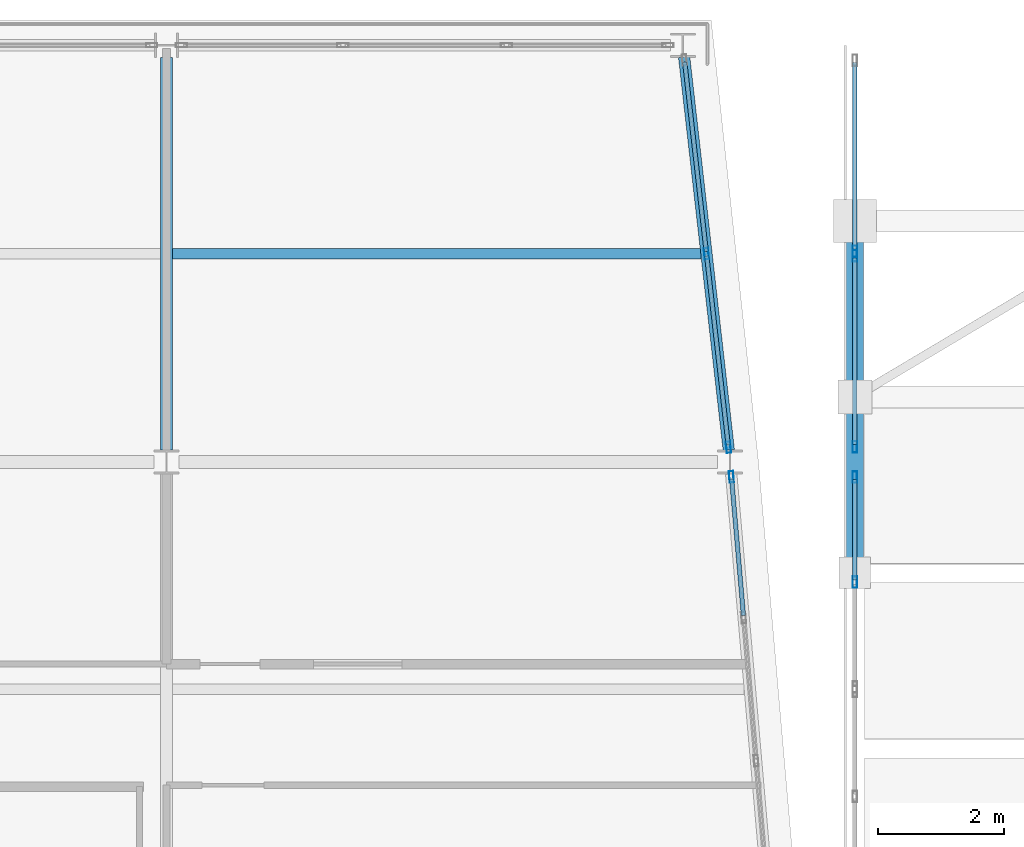
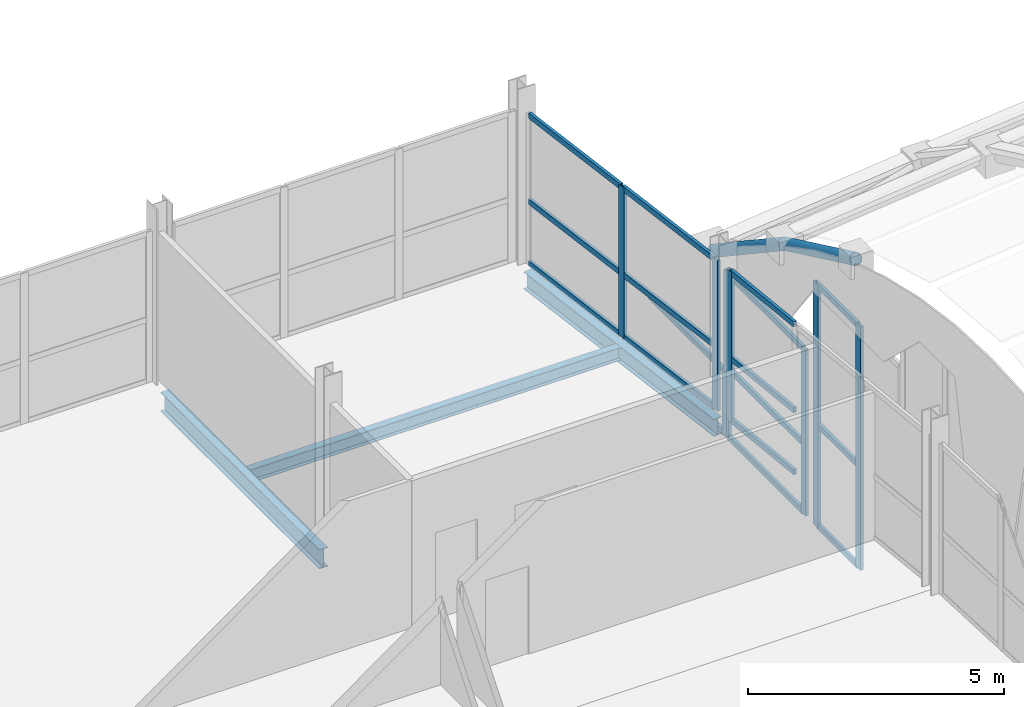
# One storey, part 23 of 65: 25 members, 5 beams, 5 elements without a shape of their own.
"""IFC4 building model written with IfcOpenShell, lengths in metres."""

from ifc_helpers import new_model, si_unit, direction, frame, origin, origin_2d, place, context, subcontext, project, spatial, hollow_rectangle, hollow_circle, i_section, extrude, material, layer, layer_set, material_profile, profile_set, type_object, element, aggregate, save


model = new_model("IFC4")

# Units and contexts
model_context = context("Model", 3, precision=1e-05, world=origin(), true_north=direction((0.0, 1.0)))
body_context = subcontext(model_context, "Body", "Model", "MODEL_VIEW")
ifc_project = project(units=[si_unit("LENGTHUNIT", "METRE"), si_unit("AREAUNIT", "SQUARE_METRE"), si_unit("VOLUMEUNIT", "CUBIC_METRE"), si_unit("PLANEANGLEUNIT", "RADIAN"), si_unit("MASSUNIT", "GRAM", prefix="KILO")], contexts=[model_context])

# Site, building, storey
site_placement = place(None, origin())
site = spatial("IfcSite", under=ifc_project, at=site_placement, CompositionType="ELEMENT")
building_placement = place(site_placement, origin())
building = spatial("IfcBuilding", under=site, at=building_placement, Name="Quillay Park Conservatory", CompositionType="ELEMENT")
storey_placement = place(building_placement, frame((0.0, 0.0, 14.10009765625)))
storey = spatial("IfcBuildingStorey", under=building, at=storey_placement, Name="L03", CompositionType="ELEMENT", Elevation=14.10009765625)

# Beam
ifc_material_1 = material(Name="Steel ASTM A992 Grade 50", Category="steel")
ifc_material_profile_1 = material_profile(ifc_material_1, i_section(OverallWidth=0.166015625, OverallDepth=0.31298828125, WebThickness=0.006591796875, FlangeThickness=0.01123046875, FilletRadius=0.010009765625, at=origin_2d()), Name="W310x45")
ifc_profile_set_1 = profile_set([ifc_material_profile_1], Name="Steel ASTM A992 Grade 50")
beam_type_1 = type_object("IfcBeamType", Name="COMPOSITE FLOOR JOIST W310 X45", PredefinedType="JOIST", material=ifc_profile_set_1)
beam_1_placement = place(storey_placement, frame((19.845947265625, 110.10009765625, -0.341552734375), z_axis=(1.0, 0.0, 0.0), x_axis=(0.0, 1.0, 0.0)))
element("IfcBeam", 1, at=beam_1_placement, inside=storey, type_object=beam_type_1, Name="L03 beam BM-J-0310", PredefinedType="JOIST", context=body_context, shape_type="SweptSolid", body=[
    extrude(i_section(OverallWidth=0.166015625, OverallDepth=0.31298828125, WebThickness=0.006591796875, FlangeThickness=0.01123046875, FilletRadius=0.010009765625, at=origin_2d()), origin(), (0.0, 0.0, 1.0), 8.364013671875),
])

# Curtain wall, member
ifc_material_2 = material(Name="Thermally Broken Anodised Aluminium 6063-T6", Category="aluminium")
ifc_layer_1 = layer(ifc_material_2, 0.179931640625)
ifc_layer_set_1 = layer_set([ifc_layer_1], Name="UNITISED CURTAIN WALL TOWER (Thermally Broken Anodised Aluminium 6063-T6)")
curtain_wall_type_1 = type_object("IfcCurtainWallType", Name="UNITISED CURTAIN WALL TOWER", PredefinedType="USERDEFINED", material=ifc_layer_set_1)
curtain_wall_1_placement = place(storey_placement, origin())
curtain_wall_1 = element("IfcCurtainWall", 2, at=curtain_wall_1_placement, inside=storey, type_object=curtain_wall_type_1, Name="L03 Unitised Curtain Wall 033", ObjectType="UNITISED CURTAIN WALL", PredefinedType="USERDEFINED")
ifc_material_3 = material(Name="Thermally Broken Anodised Aluminium 6063-T6", Category="aluminium")
ifc_material_profile_2 = material_profile(ifc_material_3, hollow_rectangle(XDim=0.070068359375, YDim=0.179931640625, WallThickness=0.00390625, at=origin_2d()), Name="AL70x180x4")
ifc_profile_set_2 = profile_set([ifc_material_profile_2], Name="Thermally Broken Anodised Aluminium 6063-T6")
member_type_1 = type_object("IfcMemberType", Name="CURTAIN WALL MULLION 70 X180", PredefinedType="MULLION", material=ifc_profile_set_2)
member_1_placement = place(storey_placement, frame((28.6953125, 106.56591796875, 0.0), z_axis=(0.0, 0.0, 1.0), x_axis=(0.996253548413, 0.086480444465, 0.0)))
member_1 = element("IfcMember", 3, at=member_1_placement, type_object=member_type_1, Name="CW-T1 mullion 1", PredefinedType="MULLION", context=body_context, shape_type="SweptSolid", body=[
    extrude(hollow_rectangle(XDim=0.070068359375, YDim=0.179931640625, WallThickness=0.00390625, at=origin_2d()), origin(), (0.0, 0.0, 1.0), 3.598876953125),
])

# Curtain wall, members
curtain_wall_2_placement = place(storey_placement, origin())
curtain_wall_2 = element("IfcCurtainWall", 4, at=curtain_wall_2_placement, inside=storey, type_object=curtain_wall_type_1, Name="L03 Unitised Curtain Wall 034", ObjectType="UNITISED CURTAIN WALL", PredefinedType="USERDEFINED")
member_2_placement = place(storey_placement, frame((28.300048828125, 110.10009765625, 0.0), z_axis=(0.0, 0.0, 1.0), x_axis=(0.993605989969, 0.112903218278, 0.0)))
member_2 = element("IfcMember", 5, at=member_2_placement, type_object=member_type_1, Name="CW-T1 mullion 2", PredefinedType="MULLION", context=body_context, shape_type="SweptSolid", body=[
    extrude(hollow_rectangle(XDim=0.070068359375, YDim=0.179931640625, WallThickness=0.00390625, at=origin_2d()), origin(), (0.0, 0.0, 1.0), 3.598876953125),
])
member_3_placement = place(storey_placement, frame((28.6484375, 107.033447265625, 0.0), z_axis=(0.0, 0.0, 1.0), x_axis=(0.993605989969, 0.112903218278, 0.0)))
member_3 = element("IfcMember", 6, at=member_3_placement, type_object=member_type_1, Name="CW-T1 mullion 3", PredefinedType="MULLION", context=body_context, shape_type="SweptSolid", body=[
    extrude(hollow_rectangle(XDim=0.070068359375, YDim=0.179931640625, WallThickness=0.00390625, at=origin_2d()), origin(), (0.0, 0.0, 1.0), 3.598876953125),
])

ifc_material_4 = material(Name="Thermally Broken Anodised Aluminium 6063-T6", Category="aluminium")
ifc_layer_2 = layer(ifc_material_4, 0.219970703125)
ifc_layer_set_2 = layer_set([ifc_layer_2], Name="UNITISED CURTAIN WALL CONSERVATORY (Thermally Broken Anodised Aluminium 6063-T6)")
curtain_wall_type_2 = type_object("IfcCurtainWallType", Name="UNITISED CURTAIN WALL CONSERVATORY", PredefinedType="USERDEFINED", material=ifc_layer_set_2)
curtain_wall_3_placement = place(storey_placement, origin())
curtain_wall_3 = element("IfcCurtainWall", 7, at=curtain_wall_3_placement, inside=storey, type_object=curtain_wall_type_2, Name="L03 Unitised Curtain Wall 182", ObjectType="UNITISED CURTAIN WALL", PredefinedType="USERDEFINED")
member_4_placement = place(storey_placement, frame((30.64990234375, 104.8974609375, -3.2001953125), z_axis=(0.0, 0.0, 1.0), x_axis=(-1.0, 0.0, 0.0)))
member_4 = element("IfcMember", 8, at=member_4_placement, type_object=member_type_1, Name="CW-C1 mullion 2", PredefinedType="MULLION", context=body_context, shape_type="SweptSolid", body=[
    extrude(hollow_rectangle(XDim=0.070068359375, YDim=0.179931640625, WallThickness=0.00390625, at=origin_2d()), origin(), (0.0, 0.0, 1.0), 5.818115234375),
])
member_5_placement = place(storey_placement, frame((30.64990234375, 106.56005859375, -3.2001953125), z_axis=(0.0, 0.0, 1.0), x_axis=(-1.0, 0.0, 0.0)))
member_5 = element("IfcMember", 9, at=member_5_placement, type_object=member_type_1, Name="CW-C1 mullion 3", PredefinedType="MULLION", context=body_context, shape_type="SweptSolid", body=[
    extrude(hollow_rectangle(XDim=0.070068359375, YDim=0.179931640625, WallThickness=0.00390625, at=origin_2d()), origin(), (0.0, 0.0, 1.0), 5.818115234375),
])

curtain_wall_4_placement = place(storey_placement, origin())
curtain_wall_4 = element("IfcCurtainWall", 10, at=curtain_wall_4_placement, inside=storey, type_object=curtain_wall_type_2, Name="L03 Unitised Curtain Wall 183", ObjectType="UNITISED CURTAIN WALL", PredefinedType="USERDEFINED")
member_6_placement = place(storey_placement, frame((30.64990234375, 107.0400390625, -3.2001953125), z_axis=(0.0, 0.0, 1.0), x_axis=(-1.0, 0.0, 0.0)))
member_6 = element("IfcMember", 11, at=member_6_placement, type_object=member_type_1, Name="CW-C1 mullion 1", PredefinedType="MULLION", context=body_context, shape_type="SweptSolid", body=[
    extrude(hollow_rectangle(XDim=0.070068359375, YDim=0.179931640625, WallThickness=0.00390625, at=origin_2d()), origin(), (0.0, 0.0, 1.0), 3.958740234375),
])
member_7_placement = place(storey_placement, frame((30.64990234375, 110.06494140625, -3.2001953125), z_axis=(0.0, 0.0, 1.0), x_axis=(-1.0, 0.0, 0.0)))
member_7 = element("IfcMember", 12, at=member_7_placement, type_object=member_type_1, Name="CW-C1 mullion 2", PredefinedType="MULLION", context=body_context, shape_type="SweptSolid", body=[
    extrude(hollow_rectangle(XDim=0.070068359375, YDim=0.179931640625, WallThickness=0.00390625, at=origin_2d()), origin(), (0.0, 0.0, 1.0), 3.958740234375),
])

# Curtain wall, member
curtain_wall_5_placement = place(storey_placement, origin())
curtain_wall_5 = element("IfcCurtainWall", 13, at=curtain_wall_5_placement, inside=storey, type_object=curtain_wall_type_2, Name="L03 Unitised Curtain Wall 185", ObjectType="UNITISED CURTAIN WALL", PredefinedType="USERDEFINED")
member_8_placement = place(storey_placement, frame((30.64990234375, 110.135009765625, -3.2001953125), z_axis=(0.0, 0.0, 1.0), x_axis=(-1.0, 0.0, 0.0)))
member_8 = element("IfcMember", 14, at=member_8_placement, type_object=member_type_1, Name="CW-C1 mullion 1", PredefinedType="MULLION", context=body_context, shape_type="SweptSolid", body=[
    extrude(hollow_rectangle(XDim=0.070068359375, YDim=0.179931640625, WallThickness=0.00390625, at=origin_2d()), origin(), (0.0, 0.0, 1.0), 1.556396484375),
])

# Member
ifc_material_5 = material(Name="Thermally Broken Anodised Aluminium 6063-T6", Category="aluminium")
ifc_material_profile_3 = material_profile(ifc_material_5, hollow_rectangle(XDim=0.070068359375, YDim=0.1298828125, WallThickness=0.003173828125, at=origin_2d()), Name="AL70x130x3.2")
ifc_profile_set_3 = profile_set([ifc_material_profile_3], Name="Thermally Broken Anodised Aluminium 6063-T6")
member_type_2 = type_object("IfcMemberType", Name="CURTAIN WALL TRANSOM 70 X130", PredefinedType="USERDEFINED", material=ifc_profile_set_3)
member_9_placement = place(storey_placement, frame((28.6982421875, 106.531005859375, 0.034912109375), z_axis=(0.086488870651, -0.996252816936, 0.0), x_axis=(0.996252816936, 0.086488870651, 0.0)))
member_9 = element("IfcMember", 15, at=member_9_placement, type_object=member_type_2, Name="CW-T1 transom 1.1", ObjectType="TRANSOM", PredefinedType="USERDEFINED", context=body_context, shape_type="SweptSolid", body=[
    extrude(hollow_rectangle(XDim=0.070068359375, YDim=0.1298828125, WallThickness=0.003173828125, at=origin_2d()), origin(), (0.0, 0.0, 1.0), 2.170654296875),
])

member_10_placement = place(storey_placement, frame((28.6982421875, 106.531005859375, 1.511474609375), z_axis=(0.086488870651, -0.996252816936, 0.0), x_axis=(0.996252816936, 0.086488870651, 0.0)))
member_10 = element("IfcMember", 16, at=member_10_placement, type_object=member_type_2, Name="CW-T1 transom 1.2", ObjectType="TRANSOM", PredefinedType="USERDEFINED", context=body_context, shape_type="SweptSolid", body=[
    extrude(hollow_rectangle(XDim=0.070068359375, YDim=0.1298828125, WallThickness=0.003173828125, at=origin_2d()), origin(), (0.0, 0.0, 1.0), 2.170654296875),
])

member_11_placement = place(storey_placement, frame((28.6982421875, 106.531005859375, 3.56396484375), z_axis=(0.086488870651, -0.996252816936, 0.0), x_axis=(0.996252816936, 0.086488870651, 0.0)))
member_11 = element("IfcMember", 17, at=member_11_placement, type_object=member_type_2, Name="CW-T1 transom 1.3", ObjectType="TRANSOM", PredefinedType="USERDEFINED", context=body_context, shape_type="SweptSolid", body=[
    extrude(hollow_rectangle(XDim=0.070068359375, YDim=0.1298828125, WallThickness=0.003173828125, at=origin_2d()), origin(), (0.0, 0.0, 1.0), 2.170654296875),
])

aggregate(curtain_wall_1, [member_1, member_9, member_10, member_11])

member_12_placement = place(storey_placement, frame((27.95556640625, 113.1318359375, 0.034912109375), z_axis=(0.112909688044, -0.99360525479, 0.0), x_axis=(0.99360525479, 0.112909688044, 0.0)))
member_12 = element("IfcMember", 18, at=member_12_placement, type_object=member_type_2, Name="CW-T1 transom 1.1", ObjectType="TRANSOM", PredefinedType="USERDEFINED", context=body_context, shape_type="SweptSolid", body=[
    extrude(hollow_rectangle(XDim=0.070068359375, YDim=0.1298828125, WallThickness=0.003173828125, at=origin_2d()), origin(), (0.0, 0.0, 1.0), 3.016357421875),
])

member_13_placement = place(storey_placement, frame((27.95556640625, 113.1318359375, 1.511474609375), z_axis=(0.112909688044, -0.99360525479, 0.0), x_axis=(0.99360525479, 0.112909688044, 0.0)))
member_13 = element("IfcMember", 19, at=member_13_placement, type_object=member_type_2, Name="CW-T1 transom 1.2", ObjectType="TRANSOM", PredefinedType="USERDEFINED", context=body_context, shape_type="SweptSolid", body=[
    extrude(hollow_rectangle(XDim=0.070068359375, YDim=0.1298828125, WallThickness=0.003173828125, at=origin_2d()), origin(), (0.0, 0.0, 1.0), 3.016357421875),
])

member_14_placement = place(storey_placement, frame((27.95556640625, 113.1318359375, 3.56396484375), z_axis=(0.112909688044, -0.99360525479, 0.0), x_axis=(0.99360525479, 0.112909688044, 0.0)))
member_14 = element("IfcMember", 20, at=member_14_placement, type_object=member_type_2, Name="CW-T1 transom 1.3", ObjectType="TRANSOM", PredefinedType="USERDEFINED", context=body_context, shape_type="SweptSolid", body=[
    extrude(hollow_rectangle(XDim=0.070068359375, YDim=0.1298828125, WallThickness=0.003173828125, at=origin_2d()), origin(), (0.0, 0.0, 1.0), 3.016357421875),
])

member_15_placement = place(storey_placement, frame((28.303955078125, 110.065185546875, 0.034912109375), z_axis=(0.112918769109, -0.993604222808, 0.0), x_axis=(0.993604222808, 0.112918769109, 0.0)))
member_15 = element("IfcMember", 21, at=member_15_placement, type_object=member_type_2, Name="CW-T1 transom 2.1", ObjectType="TRANSOM", PredefinedType="USERDEFINED", context=body_context, shape_type="SweptSolid", body=[
    extrude(hollow_rectangle(XDim=0.070068359375, YDim=0.1298828125, WallThickness=0.003173828125, at=origin_2d()), origin(), (0.0, 0.0, 1.0), 3.01611328125),
])

member_16_placement = place(storey_placement, frame((28.303955078125, 110.065185546875, 1.511474609375), z_axis=(0.112918769109, -0.993604222808, 0.0), x_axis=(0.993604222808, 0.112918769109, 0.0)))
member_16 = element("IfcMember", 22, at=member_16_placement, type_object=member_type_2, Name="CW-T1 transom 2.2", ObjectType="TRANSOM", PredefinedType="USERDEFINED", context=body_context, shape_type="SweptSolid", body=[
    extrude(hollow_rectangle(XDim=0.070068359375, YDim=0.1298828125, WallThickness=0.003173828125, at=origin_2d()), origin(), (0.0, 0.0, 1.0), 3.01611328125),
])

member_17_placement = place(storey_placement, frame((28.303955078125, 110.065185546875, 3.56396484375), z_axis=(0.112918769109, -0.993604222808, 0.0), x_axis=(0.993604222808, 0.112918769109, 0.0)))
member_17 = element("IfcMember", 23, at=member_17_placement, type_object=member_type_2, Name="CW-T1 transom 2.3", ObjectType="TRANSOM", PredefinedType="USERDEFINED", context=body_context, shape_type="SweptSolid", body=[
    extrude(hollow_rectangle(XDim=0.070068359375, YDim=0.1298828125, WallThickness=0.003173828125, at=origin_2d()), origin(), (0.0, 0.0, 1.0), 3.01611328125),
])

aggregate(curtain_wall_2, [member_2, member_3, member_12, member_13, member_14, member_15, member_16, member_17])

member_18_placement = place(storey_placement, frame((30.64990234375, 104.9326171875, -3.1650390625), z_axis=(0.0, 1.0, 0.0), x_axis=(-1.0, 0.0, 0.0)))
member_18 = element("IfcMember", 24, at=member_18_placement, type_object=member_type_2, Name="CW-C1 transom 2.1", ObjectType="TRANSOM", PredefinedType="USERDEFINED", context=body_context, shape_type="SweptSolid", body=[
    extrude(hollow_rectangle(XDim=0.070068359375, YDim=0.1298828125, WallThickness=0.003173828125, at=origin_2d()), origin(), (0.0, 0.0, 1.0), 1.59228515625),
])

member_19_placement = place(storey_placement, frame((30.64990234375, 104.9326171875, -0.756591796875), z_axis=(0.0, 1.0, 0.0), x_axis=(-1.0, 0.0, 0.0)))
member_19 = element("IfcMember", 25, at=member_19_placement, type_object=member_type_2, Name="CW-C1 transom 2.2", ObjectType="TRANSOM", PredefinedType="USERDEFINED", context=body_context, shape_type="SweptSolid", body=[
    extrude(hollow_rectangle(XDim=0.070068359375, YDim=0.1298828125, WallThickness=0.003173828125, at=origin_2d()), origin(), (0.0, 0.0, 1.0), 1.59228515625),
])

member_20_placement = place(storey_placement, frame((30.64990234375, 104.9326171875, 2.582763671875), z_axis=(0.0, 1.0, 0.0), x_axis=(-1.0, 0.0, 0.0)))
member_20 = element("IfcMember", 26, at=member_20_placement, type_object=member_type_2, Name="CW-C1 transom 2.3", ObjectType="TRANSOM", PredefinedType="USERDEFINED", context=body_context, shape_type="SweptSolid", body=[
    extrude(hollow_rectangle(XDim=0.070068359375, YDim=0.1298828125, WallThickness=0.003173828125, at=origin_2d()), origin(), (0.0, 0.0, 1.0), 1.59228515625),
])

aggregate(curtain_wall_3, [member_4, member_5, member_18, member_19, member_20])

member_21_placement = place(storey_placement, frame((30.64990234375, 107.074951171875, -3.1650390625), z_axis=(0.0, 1.0, 0.0), x_axis=(-1.0, 0.0, 0.0)))
member_21 = element("IfcMember", 27, at=member_21_placement, type_object=member_type_2, Name="CW-C1 transom 1.1", ObjectType="TRANSOM", PredefinedType="USERDEFINED", context=body_context, shape_type="SweptSolid", body=[
    extrude(hollow_rectangle(XDim=0.070068359375, YDim=0.1298828125, WallThickness=0.003173828125, at=origin_2d()), origin(), (0.0, 0.0, 1.0), 2.955078125),
])

member_22_placement = place(storey_placement, frame((30.64990234375, 107.074951171875, -1.53759765625), z_axis=(0.0, 1.0, 0.0), x_axis=(-1.0, 0.0, 0.0)))
member_22 = element("IfcMember", 28, at=member_22_placement, type_object=member_type_2, Name="CW-C1 transom 1.2", ObjectType="TRANSOM", PredefinedType="USERDEFINED", context=body_context, shape_type="SweptSolid", body=[
    extrude(hollow_rectangle(XDim=0.070068359375, YDim=0.1298828125, WallThickness=0.003173828125, at=origin_2d()), origin(), (0.0, 0.0, 1.0), 2.955078125),
])

member_23_placement = place(storey_placement, frame((30.64990234375, 107.074951171875, 0.723388671875), z_axis=(0.0, 1.0, 0.0), x_axis=(-1.0, 0.0, 0.0)))
member_23 = element("IfcMember", 29, at=member_23_placement, type_object=member_type_2, Name="CW-C1 transom 1.3", ObjectType="TRANSOM", PredefinedType="USERDEFINED", context=body_context, shape_type="SweptSolid", body=[
    extrude(hollow_rectangle(XDim=0.070068359375, YDim=0.1298828125, WallThickness=0.003173828125, at=origin_2d()), origin(), (0.0, 0.0, 1.0), 2.955078125),
])

aggregate(curtain_wall_4, [member_6, member_7, member_21, member_22, member_23])

member_24_placement = place(storey_placement, frame((30.64990234375, 110.169921875, -3.1650390625), z_axis=(0.0, 1.0, 0.0), x_axis=(-1.0, 0.0, 0.0)))
member_24 = element("IfcMember", 30, at=member_24_placement, type_object=member_type_2, Name="CW-C1 transom 1.1", ObjectType="TRANSOM", PredefinedType="USERDEFINED", context=body_context, shape_type="SweptSolid", body=[
    extrude(hollow_rectangle(XDim=0.070068359375, YDim=0.1298828125, WallThickness=0.003173828125, at=origin_2d()), origin(), (0.0, 0.0, 1.0), 2.955078125),
])

member_25_placement = place(storey_placement, frame((30.64990234375, 110.169921875, -1.678955078125), z_axis=(0.0, 1.0, 0.0), x_axis=(-1.0, 0.0, 0.0)))
member_25 = element("IfcMember", 31, at=member_25_placement, type_object=member_type_2, Name="CW-C1 transom 1.2", ObjectType="TRANSOM", PredefinedType="USERDEFINED", context=body_context, shape_type="SweptSolid", body=[
    extrude(hollow_rectangle(XDim=0.070068359375, YDim=0.1298828125, WallThickness=0.003173828125, at=origin_2d()), origin(), (0.0, 0.0, 1.0), 2.955078125),
])

aggregate(curtain_wall_5, [member_8, member_24, member_25])

# Beams
ifc_material_6 = material(Name="Steel S355J2H", Category="steel")
ifc_material_profile_4 = material_profile(ifc_material_6, hollow_circle(Radius=0.136474609375, WallThickness=0.012451171875, at=origin_2d()), Name="CHS273x12.5")
ifc_profile_set_4 = profile_set([ifc_material_profile_4], Name="Steel S355J2H")
beam_type_2 = type_object("IfcBeamType", Name="GRIDSHELL ARCH BEAM CHS273", PredefinedType="USERDEFINED", material=ifc_profile_set_4)
beam_2_placement = place(storey_placement, frame((30.64990234375, 105.044921875, 4.090087890625), z_axis=(0.0, 0.903117900184, -0.429392662219), x_axis=(-1.0, 0.0, 0.0)))
element("IfcBeam", 32, at=beam_2_placement, inside=storey, type_object=beam_type_2, Name="Gridshell member GS-ARCH-00-07", ObjectType="GRIDSHELL ARCH BEAM", PredefinedType="USERDEFINED", context=body_context, shape_type="SweptSolid", body=[
    extrude(hollow_circle(Radius=0.136474609375, WallThickness=0.012451171875, at=origin_2d()), origin(), (0.0, 0.0, 1.0), 3.083984375),
])
beam_3_placement = place(storey_placement, frame((30.64990234375, 107.830078125, 2.765869140625), z_axis=(0.0, 0.831668729476, -0.555272117445), x_axis=(-1.0, 0.0, 0.0)))
element("IfcBeam", 33, at=beam_3_placement, inside=storey, type_object=beam_type_2, Name="Gridshell member GS-ARCH-00-08", ObjectType="GRIDSHELL ARCH BEAM", PredefinedType="USERDEFINED", context=body_context, shape_type="SweptSolid", body=[
    extrude(hollow_circle(Radius=0.136474609375, WallThickness=0.012451171875, at=origin_2d()), origin(), (0.0, 0.0, 1.0), 3.3486328125),
])
ifc_material_7 = material(Name="Steel ASTM A992 Grade 50", Category="steel")
ifc_material_profile_5 = material_profile(ifc_material_7, i_section(OverallWidth=0.179931640625, OverallDepth=0.4130859375, WebThickness=0.009765625, FlangeThickness=0.01611328125, FilletRadius=0.011962890625, at=origin_2d()), Name="W410x74")
ifc_profile_set_5 = profile_set([ifc_material_profile_5], Name="Steel ASTM A992 Grade 50")
beam_type_3 = type_object("IfcBeamType", Name="PERIMETER SPANDREL BEAM W410 X74", PredefinedType="SPANDREL", material=ifc_profile_set_5)
beam_4_placement = place(storey_placement, frame((28.653564453125, 106.98876953125, -0.3916015625), z_axis=(-0.112900066082, 0.993606348147, 0.0), x_axis=(-0.993606348147, -0.112900066082, 0.0)))
element("IfcBeam", 34, at=beam_4_placement, inside=storey, type_object=beam_type_3, Name="L03 beam BM-SPE-0306", PredefinedType="SPANDREL", context=body_context, shape_type="SweptSolid", body=[
    extrude(i_section(OverallWidth=0.179931640625, OverallDepth=0.4130859375, WebThickness=0.009765625, FlangeThickness=0.01611328125, FilletRadius=0.011962890625, at=origin_2d()), origin(), (0.0, 0.0, 1.0), 6.262451171875),
])
ifc_material_8 = material(Name="Steel ASTM A992 Grade 50", Category="steel")
ifc_material_profile_6 = material_profile(ifc_material_8, i_section(OverallWidth=0.19189453125, OverallDepth=0.462890625, WebThickness=0.010498046875, FlangeThickness=0.017578125, FilletRadius=0.012939453125, at=origin_2d()), Name="W460x89")
ifc_profile_set_6 = profile_set([ifc_material_profile_6], Name="Steel ASTM A992 Grade 50")
beam_type_4 = type_object("IfcBeamType", Name="PRIMARY FLOOR GIRDER W460 X89", PredefinedType="BEAM", material=ifc_profile_set_6)
beam_5_placement = place(storey_placement, frame((19.75, 106.989990234375, -0.41650390625), z_axis=(0.0, 1.0, 0.0), x_axis=(-1.0, 0.0, 0.0)))
element("IfcBeam", 35, at=beam_5_placement, inside=storey, type_object=beam_type_4, Name="L03 beam BM-GNS-0308", PredefinedType="BEAM", context=body_context, shape_type="SweptSolid", body=[
    extrude(i_section(OverallWidth=0.19189453125, OverallDepth=0.462890625, WebThickness=0.010498046875, FlangeThickness=0.017578125, FilletRadius=0.012939453125, at=origin_2d()), origin(), (0.0, 0.0, 1.0), 6.21240234375),
])

save(model, "model.ifc")
